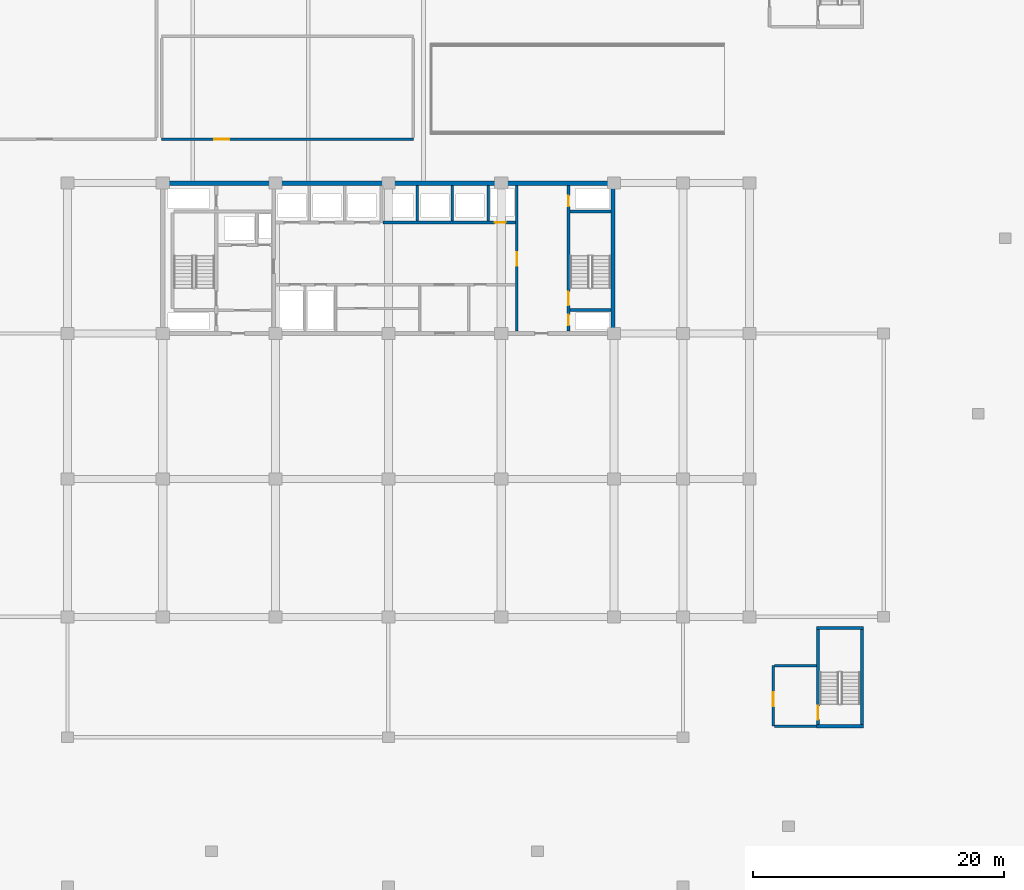
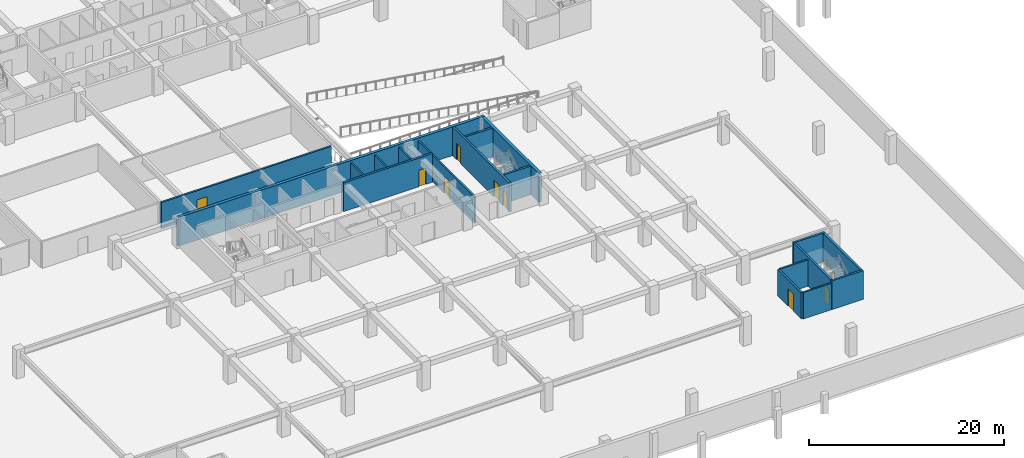
# One storey, part 7 of 22: 18 walls, 8 doors, 8 openings.
"""IFC4 building model written with IfcOpenShell, lengths in metres."""

from ifc_helpers import new_model, si_unit, direction, frame, frame_2d, origin, place, context, subcontext, project, spatial, rectangle, extrude, material, layer, layer_set, type_object, element, fill, save


model = new_model("IFC4")

# Units and contexts
model_context = context("Model", 3, precision=1e-05, world=origin(), true_north=direction((0.0, 1.0)))
body_context = subcontext(model_context, "Body", "Model", "MODEL_VIEW")
ifc_project = project(units=[si_unit("LENGTHUNIT", "METRE"), si_unit("AREAUNIT", "SQUARE_METRE"), si_unit("VOLUMEUNIT", "CUBIC_METRE"), si_unit("PLANEANGLEUNIT", "RADIAN"), si_unit("MASSUNIT", "GRAM", prefix="KILO")], contexts=[model_context])

# Site, building, storey
site_placement = place(None, origin())
site = spatial("IfcSite", under=ifc_project, at=site_placement, CompositionType="ELEMENT")
building_placement = place(site_placement, origin())
building = spatial("IfcBuilding", under=site, at=building_placement, Name="Korimba Cascade Residences", CompositionType="ELEMENT")
storey_placement = place(building_placement, frame((0.0, 0.0, -7.199951171875)))
storey = spatial("IfcBuildingStorey", under=building, at=storey_placement, Name="B02", CompositionType="ELEMENT", Elevation=-7.199951171875)

# Walls
ifc_material_1 = material(Name="Concrete C65/80", Category="concrete")
ifc_layer_1 = layer(ifc_material_1, 0.35009765625)
ifc_layer_set_1 = layer_set([ifc_layer_1], Name="Concrete C65/80")
wall_type_1 = type_object("IfcWallType", Name="WAL-CORE-350", PredefinedType="SHEAR", material=ifc_layer_set_1)
wall_1_placement = place(storey_placement, frame((81.925048828125, 30.39990234375, 0.0), z_axis=(0.0, 0.0, 1.0), x_axis=(1.0, 0.0, 0.0)))
element("IfcWall", 1, at=wall_1_placement, inside=storey, type_object=wall_type_1, Name="B02 Core Shear Wall CW-B02-T2-N", PredefinedType="SHEAR", context=body_context, shape_type="SweptSolid", body=[
    extrude(rectangle(XDim=36.264892578125, YDim=0.35009765625, at=frame_2d((18.13232421875, 0.0))), origin(), (0.0, 0.0, 1.0), 3.599853515625),
])
wall_2_placement = place(storey_placement, frame((118.014892578125, 18.574951171875, 0.0), z_axis=(0.0, 0.0, 1.0), x_axis=(0.0, 1.0, 0.0)))
element("IfcWall", 2, at=wall_2_placement, inside=storey, type_object=wall_type_1, Name="B02 Core Shear Wall CW-B02-T2-E", PredefinedType="SHEAR", context=body_context, shape_type="SweptSolid", body=[
    extrude(rectangle(XDim=11.650146484375, YDim=0.35009765625, at=frame_2d((5.8251953125, 0.0))), origin(), (0.0, 0.0, 1.0), 3.599853515625),
])
ifc_material_2 = material(Name="Concrete C40/50", Category="concrete")
ifc_layer_2 = layer(ifc_material_2, 0.199951171875)
ifc_layer_set_2 = layer_set([ifc_layer_2], Name="Concrete C40/50")
wall_type_2 = type_object("IfcWallType", Name="WAL-PART-200", PredefinedType="PARTITIONING", material=ifc_layer_set_2)
for number, where, z_axis, x_axis, name in (
    (3, (102.39990234375, 27.3798828125, 0.0), (0.0, 0.0, 1.0), (0.0, 1.0, 0.0), "B02 Partition Wall CW-B02-T2-B2D1"),
    (4, (105.199951171875, 27.3798828125, 0.0), (0.0, 0.0, 1.0), (0.0, 1.0, 0.0), "B02 Partition Wall CW-B02-T2-B2D2"),
    (5, (108.050048828125, 27.3798828125, 0.0), (0.0, 0.0, 1.0), (0.0, 1.0, 0.0), "B02 Partition Wall CW-B02-T2-B2D3"),
):
    element("IfcWall", number, at=place(storey_placement, frame(where, z_axis=z_axis, x_axis=x_axis)), inside=storey, type_object=wall_type_2, Name=name, PredefinedType="PARTITIONING", context=body_context, shape_type="SweptSolid", body=[
        extrude(rectangle(XDim=2.820068359375, YDim=0.199951171875, at=frame_2d((1.41015625, 0.0))), origin(), (0.0, 0.0, 1.0), 3.300048828125),
    ])

# Wall, opening, door
wall_3_placement = place(storey_placement, frame((110.35009765625, 18.60009765625, 0.0), z_axis=(0.0, 0.0, 1.0), x_axis=(0.0, 1.0, 0.0)))
wall_3 = element("IfcWall", 6, at=wall_3_placement, inside=storey, type_object=wall_type_2, Name="B02 Partition Wall CW-B02-T2-LLEV", PredefinedType="PARTITIONING", context=body_context, shape_type="SweptSolid", body=[
    extrude(rectangle(XDim=11.599853515625, YDim=0.199951171875, at=frame_2d((5.7998046875, 0.0))), origin(), (0.0, 0.0, 1.0), 3.300048828125),
])
opening_1_placement = place(wall_3_placement, frame((5.199951171875, 0.0, 0.0)))
opening_1 = element("IfcOpeningElement", 7, at=opening_1_placement, cuts=wall_3, Name="Opening D-FD6", PredefinedType="OPENING", context=body_context, shape_type="SweptSolid", body=[
    extrude(rectangle(XDim=1.10009765625, YDim=2.14990234375, at=frame_2d((0.550048828125, 1.074951171875))), frame((0.0, 0.10986328125, 0.0), z_axis=(0.0, -1.0, 0.0), x_axis=(1.0, 0.0, 0.0)), (0.0, 0.0, 1.0), 0.219970703125),
])
ifc_material_3 = material(Name="Fire-Rated Timber Stair Lobby Door", Category="wood")
door_type_1 = type_object("IfcDoorType", Name="DR-FD90-1100", OperationType="NOTDEFINED", PredefinedType="DOOR", material=ifc_material_3)
door_1_placement = place(opening_1_placement, origin())
door_1 = element("IfcDoor", 8, at=door_1_placement, inside=storey, type_object=door_type_1, Name="B02 T2 Lift Lobby to East Stair Lobby Door", OperationType="SINGLE_SWING_RIGHT", OverallHeight=2.14990234375, OverallWidth=1.10009765625, PredefinedType="DOOR", context=body_context, shape_type="SweptSolid", body=[
    extrude(rectangle(XDim=1.10009765625, YDim=2.14990234375, at=frame_2d((0.550048828125, 1.074951171875))), frame((0.0, 0.02490234375, 0.0), z_axis=(0.0, -1.0, 0.0), x_axis=(1.0, 0.0, 0.0)), (0.0, 0.0, 1.0), 0.050048828125),
])
fill(opening_1, door_1)

wall_4_placement = place(storey_placement, frame((130.800048828125, -12.925048828125, 0.0), z_axis=(0.0, 0.0, 1.0), x_axis=(0.0, 1.0, 0.0)))
wall_4 = element("IfcWall", 9, at=wall_4_placement, inside=storey, type_object=wall_type_2, Name="B02 Partition Wall CW-B02-PL6W", PredefinedType="PARTITIONING", context=body_context, shape_type="SweptSolid", body=[
    extrude(rectangle(XDim=4.824951171875, YDim=0.199951171875, at=frame_2d((2.41259765625, 0.0))), origin(), (0.0, 0.0, 1.0), 3.300048828125),
])
opening_2_placement = place(wall_4_placement, frame((1.60009765625, 0.0, 0.0)))
opening_2 = element("IfcOpeningElement", 10, at=opening_2_placement, cuts=wall_4, Name="Opening D-FD6", PredefinedType="OPENING", context=body_context, shape_type="SweptSolid", body=[
    extrude(rectangle(XDim=1.10009765625, YDim=2.14990234375, at=frame_2d((0.550048828125, 1.074951171875))), frame((0.0, 0.10986328125, 0.0), z_axis=(0.0, -1.0, 0.0), x_axis=(1.0, 0.0, 0.0)), (0.0, 0.0, 1.0), 0.219970703125),
])
door_2_placement = place(opening_2_placement, origin())
door_2 = element("IfcDoor", 11, at=door_2_placement, inside=storey, type_object=door_type_1, Name="B02 South-East Stair Vestibule Door", OperationType="SINGLE_SWING_LEFT", OverallHeight=2.14990234375, OverallWidth=1.10009765625, PredefinedType="DOOR", context=body_context, shape_type="SweptSolid", body=[
    extrude(rectangle(XDim=1.10009765625, YDim=2.14990234375, at=frame_2d((0.550048828125, 1.074951171875))), frame((0.0, 0.02490234375, 0.0), z_axis=(0.0, -1.0, 0.0), x_axis=(1.0, 0.0, 0.0)), (0.0, 0.0, 1.0), 0.050048828125),
])
fill(opening_2, door_2)

# Walls
for number, where, z_axis, x_axis, name in (
    (12, (130.89990234375, -12.925048828125, 0.0), (0.0, 0.0, 1.0), (1.0, 0.0, 0.0), "B02 Partition Wall CW-B02-PL6S"),
    (13, (130.89990234375, -8.10009765625, 0.0), (0.0, 0.0, 1.0), (1.0, 0.0, 0.0), "B02 Partition Wall CW-B02-PL6N"),
):
    element("IfcWall", number, at=place(storey_placement, frame(where, z_axis=z_axis, x_axis=x_axis)), inside=storey, type_object=wall_type_2, Name=name, PredefinedType="PARTITIONING", context=body_context, shape_type="SweptSolid", body=[
        extrude(rectangle(XDim=3.35009765625, YDim=0.199951171875, at=frame_2d((1.675048828125, 0.0))), origin(), (0.0, 0.0, 1.0), 3.300048828125),
    ])

# Wall, opening, door
wall_5_placement = place(storey_placement, frame((82.0, 33.89990234375, 0.0), z_axis=(0.0, 0.0, 1.0), x_axis=(1.0, 0.0, 0.0)))
wall_5 = element("IfcWall", 14, at=wall_5_placement, inside=storey, type_object=wall_type_2, Name="B02 Partition Wall WAL-B02-HVSS", PredefinedType="PARTITIONING", context=body_context, shape_type="SweptSolid", body=[
    extrude(rectangle(XDim=20.10009765625, YDim=0.199951171875, at=frame_2d((10.050048828125, 0.0))), origin(), (0.0, 0.0, 1.0), 3.300048828125),
])
opening_3_placement = place(wall_5_placement, frame((4.199951171875, 0.0, 0.0)))
opening_3 = element("IfcOpeningElement", 15, at=opening_3_placement, cuts=wall_5, Name="Opening D-FD3", PredefinedType="OPENING", context=body_context, shape_type="SweptSolid", body=[
    extrude(rectangle(XDim=1.199951171875, YDim=2.14990234375, at=frame_2d((0.60009765625, 1.074951171875))), frame((0.0, 0.10986328125, 0.0), z_axis=(0.0, -1.0, 0.0), x_axis=(1.0, 0.0, 0.0)), (0.0, 0.0, 1.0), 0.219970703125),
])
ifc_material_4 = material(Name="Fire-Rated Steel Plant Door", Category="steel")
door_type_2 = type_object("IfcDoorType", Name="DR-FD120-1200", OperationType="NOTDEFINED", PredefinedType="DOOR", material=ifc_material_4)
door_3_placement = place(opening_3_placement, origin())
door_3 = element("IfcDoor", 16, at=door_3_placement, inside=storey, type_object=door_type_2, Name="B02 Switchroom Door", OperationType="SINGLE_SWING_LEFT", OverallHeight=2.14990234375, OverallWidth=1.199951171875, PredefinedType="DOOR", context=body_context, shape_type="SweptSolid", body=[
    extrude(rectangle(XDim=1.199951171875, YDim=2.14990234375, at=frame_2d((0.60009765625, 1.074951171875))), frame((0.0, 0.02490234375, 0.0), z_axis=(0.0, -1.0, 0.0), x_axis=(1.0, 0.0, 0.0)), (0.0, 0.0, 1.0), 0.050048828125),
])
fill(opening_3, door_3)

ifc_material_5 = material(Name="Concrete C50/60", Category="concrete")
ifc_layer_3 = layer(ifc_material_5, 0.25)
ifc_layer_set_3 = layer_set([ifc_layer_3], Name="Concrete C50/60")
wall_type_3 = type_object("IfcWallType", Name="WAL-SHAFT-250", PredefinedType="SHEAR", material=ifc_layer_set_3)
wall_6_placement = place(storey_placement, frame((99.679931640625, 27.25, 0.0), z_axis=(0.0, 0.0, 1.0), x_axis=(1.0, 0.0, 0.0)))
wall_6 = element("IfcWall", 17, at=wall_6_placement, inside=storey, type_object=wall_type_3, Name="B02 Core Shear Wall CW-B02-T2-B2S", PredefinedType="SHEAR", context=body_context, shape_type="SweptSolid", body=[
    extrude(rectangle(XDim=10.5400390625, YDim=0.25, at=frame_2d((5.27001953125, 0.0))), origin(), (0.0, 0.0, 1.0), 3.599853515625),
])
opening_4_placement = place(wall_6_placement, frame((8.919921875, 0.0, 0.0)))
opening_4 = element("IfcOpeningElement", 18, at=opening_4_placement, cuts=wall_6, Name="Opening D-RS1", PredefinedType="OPENING", context=body_context, shape_type="SweptSolid", body=[
    extrude(rectangle(XDim=0.85009765625, YDim=2.050048828125, at=frame_2d((0.425048828125, 1.02490234375))), frame((0.0, 0.135009765625, 0.0), z_axis=(0.0, -1.0, 0.0), x_axis=(1.0, 0.0, 0.0)), (0.0, 0.0, 1.0), 0.27001953125),
])
ifc_material_6 = material(Name="Fire-Rated Steel Riser Access Door", Category="steel")
door_type_3 = type_object("IfcDoorType", Name="DR-FD60-850", OperationType="NOTDEFINED", PredefinedType="DOOR", material=ifc_material_6)
door_4_placement = place(opening_4_placement, origin())
door_4 = element("IfcDoor", 19, at=door_4_placement, inside=storey, type_object=door_type_3, Name="B02 T2 Duct Door", OperationType="SINGLE_SWING_RIGHT", OverallHeight=2.050048828125, OverallWidth=0.85009765625, PredefinedType="DOOR", context=body_context, shape_type="SweptSolid", body=[
    extrude(rectangle(XDim=0.85009765625, YDim=2.050048828125, at=frame_2d((0.425048828125, 1.02490234375))), frame((0.0, 0.02490234375, 0.0), z_axis=(0.0, -1.0, 0.0), x_axis=(1.0, 0.0, 0.0)), (0.0, 0.0, 1.0), 0.050048828125),
])
fill(opening_4, door_4)

# Wall, openings, doors
wall_7_placement = place(storey_placement, frame((114.47509765625, 18.60009765625, 0.0), z_axis=(0.0, 0.0, 1.0), x_axis=(0.0, 1.0, 0.0)))
wall_7 = element("IfcWall", 20, at=wall_7_placement, inside=storey, type_object=wall_type_3, Name="B02 Core Shear Wall CW-B02-T2-STE2W", PredefinedType="SHEAR", context=body_context, shape_type="SweptSolid", body=[
    extrude(rectangle(XDim=11.599853515625, YDim=0.25, at=frame_2d((5.7998046875, 0.0))), origin(), (0.0, 0.0, 1.0), 3.599853515625),
])
opening_5_placement = place(wall_7_placement, frame((0.449951171875, 0.0, 0.0)))
opening_5 = element("IfcOpeningElement", 21, at=opening_5_placement, cuts=wall_7, Name="Opening D-RS1", PredefinedType="OPENING", context=body_context, shape_type="SweptSolid", body=[
    extrude(rectangle(XDim=0.85009765625, YDim=2.050048828125, at=frame_2d((0.425048828125, 1.02490234375))), frame((0.0, 0.135009765625, 0.0), z_axis=(0.0, -1.0, 0.0), x_axis=(1.0, 0.0, 0.0)), (0.0, 0.0, 1.0), 0.27001953125),
])
opening_6_placement = place(wall_7_placement, frame((2.050048828125, 0.0, 0.0)))
opening_6 = element("IfcOpeningElement", 22, at=opening_6_placement, cuts=wall_7, Name="Opening D-FD1", PredefinedType="OPENING", context=body_context, shape_type="SweptSolid", body=[
    extrude(rectangle(XDim=1.10009765625, YDim=2.10009765625, at=frame_2d((0.550048828125, 1.050048828125))), frame((0.0, 0.135009765625, 0.0), z_axis=(0.0, -1.0, 0.0), x_axis=(1.0, 0.0, 0.0)), (0.0, 0.0, 1.0), 0.27001953125),
])
opening_7_placement = place(wall_7_placement, frame((9.949951171875, 0.0, 0.0)))
opening_7 = element("IfcOpeningElement", 23, at=opening_7_placement, cuts=wall_7, Name="Opening D-RS1", PredefinedType="OPENING", context=body_context, shape_type="SweptSolid", body=[
    extrude(rectangle(XDim=0.85009765625, YDim=2.050048828125, at=frame_2d((0.425048828125, 1.02490234375))), frame((0.0, 0.135009765625, 0.0), z_axis=(0.0, -1.0, 0.0), x_axis=(1.0, 0.0, 0.0)), (0.0, 0.0, 1.0), 0.27001953125),
])
ifc_material_7 = material(Name="Fire-Rated Steel Core Door", Category="steel")
door_type_4 = type_object("IfcDoorType", Name="DR-FD120-1100", OperationType="NOTDEFINED", PredefinedType="DOOR", material=ifc_material_7)
door_5_placement = place(opening_6_placement, origin())
door_5 = element("IfcDoor", 24, at=door_5_placement, inside=storey, type_object=door_type_4, Name="B02 Fire Stair ST-E2 Door", OperationType="SINGLE_SWING_RIGHT", OverallHeight=2.10009765625, OverallWidth=1.10009765625, PredefinedType="DOOR", context=body_context, shape_type="SweptSolid", body=[
    extrude(rectangle(XDim=1.10009765625, YDim=2.10009765625, at=frame_2d((0.550048828125, 1.050048828125))), frame((0.0, 0.02490234375, 0.0), z_axis=(0.0, -1.0, 0.0), x_axis=(1.0, 0.0, 0.0)), (0.0, 0.0, 1.0), 0.050048828125),
])
fill(opening_6, door_5)
door_6_placement = place(opening_5_placement, origin())
door_6 = element("IfcDoor", 25, at=door_6_placement, inside=storey, type_object=door_type_3, Name="B02 T2 East Hydrant Door", OperationType="SINGLE_SWING_LEFT", OverallHeight=2.050048828125, OverallWidth=0.85009765625, PredefinedType="DOOR", context=body_context, shape_type="SweptSolid", body=[
    extrude(rectangle(XDim=0.85009765625, YDim=2.050048828125, at=frame_2d((0.425048828125, 1.02490234375))), frame((0.0, 0.02490234375, 0.0), z_axis=(0.0, -1.0, 0.0), x_axis=(1.0, 0.0, 0.0)), (0.0, 0.0, 1.0), 0.050048828125),
])
fill(opening_5, door_6)
door_7_placement = place(opening_7_placement, origin())
door_7 = element("IfcDoor", 26, at=door_7_placement, inside=storey, type_object=door_type_3, Name="B02 T2 East Riser Door", OperationType="SINGLE_SWING_LEFT", OverallHeight=2.050048828125, OverallWidth=0.85009765625, PredefinedType="DOOR", context=body_context, shape_type="SweptSolid", body=[
    extrude(rectangle(XDim=0.85009765625, YDim=2.050048828125, at=frame_2d((0.425048828125, 1.02490234375))), frame((0.0, 0.02490234375, 0.0), z_axis=(0.0, -1.0, 0.0), x_axis=(1.0, 0.0, 0.0)), (0.0, 0.0, 1.0), 0.050048828125),
])
fill(opening_7, door_7)

# Walls
for number, where, z_axis, x_axis, name in (
    (27, (114.60009765625, 20.27490234375, 0.0), (0.0, 0.0, 1.0), (1.0, 0.0, 0.0), "B02 Core Shear Wall CW-B02-T2-STE2S"),
    (28, (114.60009765625, 28.125, 0.0), (0.0, 0.0, 1.0), (1.0, 0.0, 0.0), "B02 Core Shear Wall CW-B02-T2-STE2N"),
):
    element("IfcWall", number, at=place(storey_placement, frame(where, z_axis=z_axis, x_axis=x_axis)), inside=storey, type_object=wall_type_3, Name=name, PredefinedType="SHEAR", context=body_context, shape_type="SweptSolid", body=[
        extrude(rectangle(XDim=3.239990234375, YDim=0.25, at=frame_2d((1.6201171875, 0.0))), origin(), (0.0, 0.0, 1.0), 3.599853515625),
    ])

# Wall, opening, door
wall_8_placement = place(storey_placement, frame((134.375, -12.800048828125, 0.0), z_axis=(0.0, 0.0, 1.0), x_axis=(0.0, 1.0, 0.0)))
wall_8 = element("IfcWall", 29, at=wall_8_placement, inside=storey, type_object=wall_type_3, Name="B02 Core Shear Wall CW-B02-STP6W", PredefinedType="SHEAR", context=body_context, shape_type="SweptSolid", body=[
    extrude(rectangle(XDim=7.60009765625, YDim=0.25, at=frame_2d((3.800048828125, 0.0))), origin(), (0.0, 0.0, 1.0), 3.599853515625),
])
opening_8_placement = place(wall_8_placement, frame((0.39990234375, 0.0, 0.0)))
opening_8 = element("IfcOpeningElement", 30, at=opening_8_placement, cuts=wall_8, Name="Opening D-FD1", PredefinedType="OPENING", context=body_context, shape_type="SweptSolid", body=[
    extrude(rectangle(XDim=1.10009765625, YDim=2.10009765625, at=frame_2d((0.550048828125, 1.050048828125))), frame((0.0, 0.135009765625, 0.0), z_axis=(0.0, -1.0, 0.0), x_axis=(1.0, 0.0, 0.0)), (0.0, 0.0, 1.0), 0.27001953125),
])
door_8_placement = place(opening_8_placement, origin())
door_8 = element("IfcDoor", 31, at=door_8_placement, inside=storey, type_object=door_type_4, Name="B02 Podium Stair ST-P6 Door", OperationType="SINGLE_SWING_RIGHT", OverallHeight=2.10009765625, OverallWidth=1.10009765625, PredefinedType="DOOR", context=body_context, shape_type="SweptSolid", body=[
    extrude(rectangle(XDim=1.10009765625, YDim=2.10009765625, at=frame_2d((0.550048828125, 1.050048828125))), frame((0.0, 0.02490234375, 0.0), z_axis=(0.0, -1.0, 0.0), x_axis=(1.0, 0.0, 0.0)), (0.0, 0.0, 1.0), 0.050048828125),
])
fill(opening_8, door_8)

# Walls
wall_9_placement = place(storey_placement, frame((137.864990234375, -12.800048828125, 0.0), z_axis=(0.0, 0.0, 1.0), x_axis=(0.0, 1.0, 0.0)))
element("IfcWall", 32, at=wall_9_placement, inside=storey, type_object=wall_type_3, Name="B02 Core Shear Wall CW-B02-STP6E", PredefinedType="SHEAR", context=body_context, shape_type="SweptSolid", body=[
    extrude(rectangle(XDim=7.60009765625, YDim=0.25, at=frame_2d((3.800048828125, 0.0))), origin(), (0.0, 0.0, 1.0), 3.599853515625),
])
for number, where, z_axis, x_axis, name in (
    (33, (134.25, -12.925048828125, 0.0), (0.0, 0.0, 1.0), (1.0, 0.0, 0.0), "B02 Core Shear Wall CW-B02-STP6S"),
    (34, (134.25, -5.074951171875, 0.0), (0.0, 0.0, 1.0), (1.0, 0.0, 0.0), "B02 Core Shear Wall CW-B02-STP6N"),
):
    element("IfcWall", number, at=place(storey_placement, frame(where, z_axis=z_axis, x_axis=x_axis)), inside=storey, type_object=wall_type_3, Name=name, PredefinedType="SHEAR", context=body_context, shape_type="SweptSolid", body=[
        extrude(rectangle(XDim=3.739990234375, YDim=0.25, at=frame_2d((1.8701171875, 0.0))), origin(), (0.0, 0.0, 1.0), 3.599853515625),
    ])

save(model, "model.ifc")
